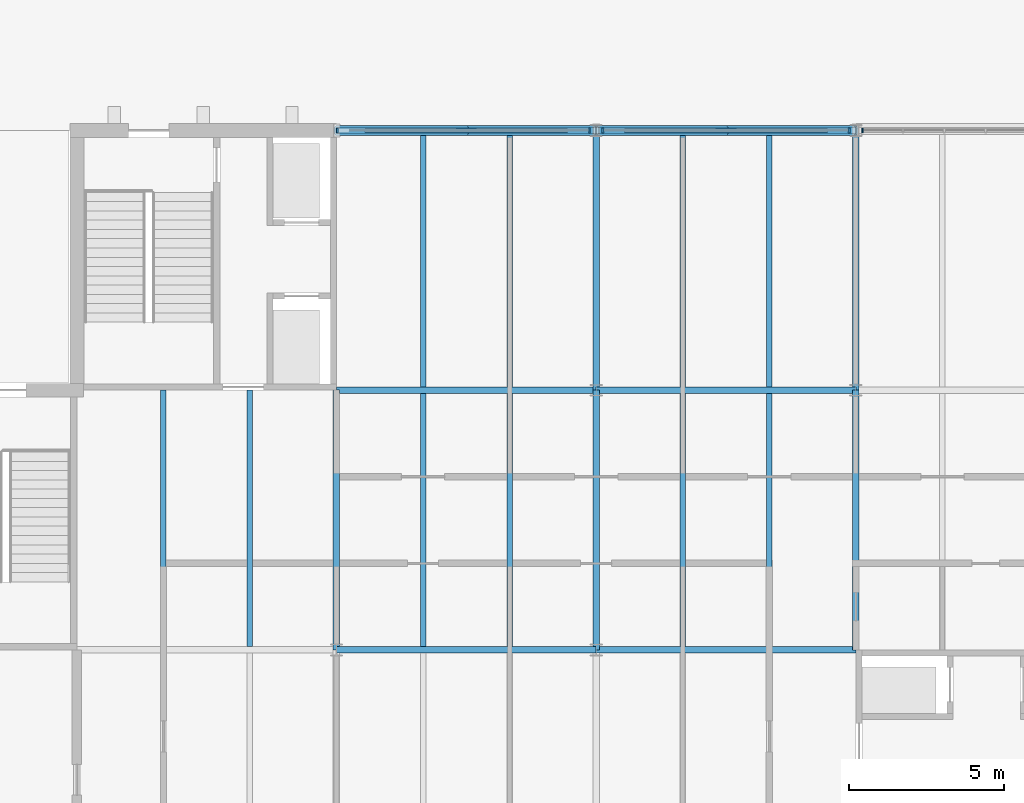
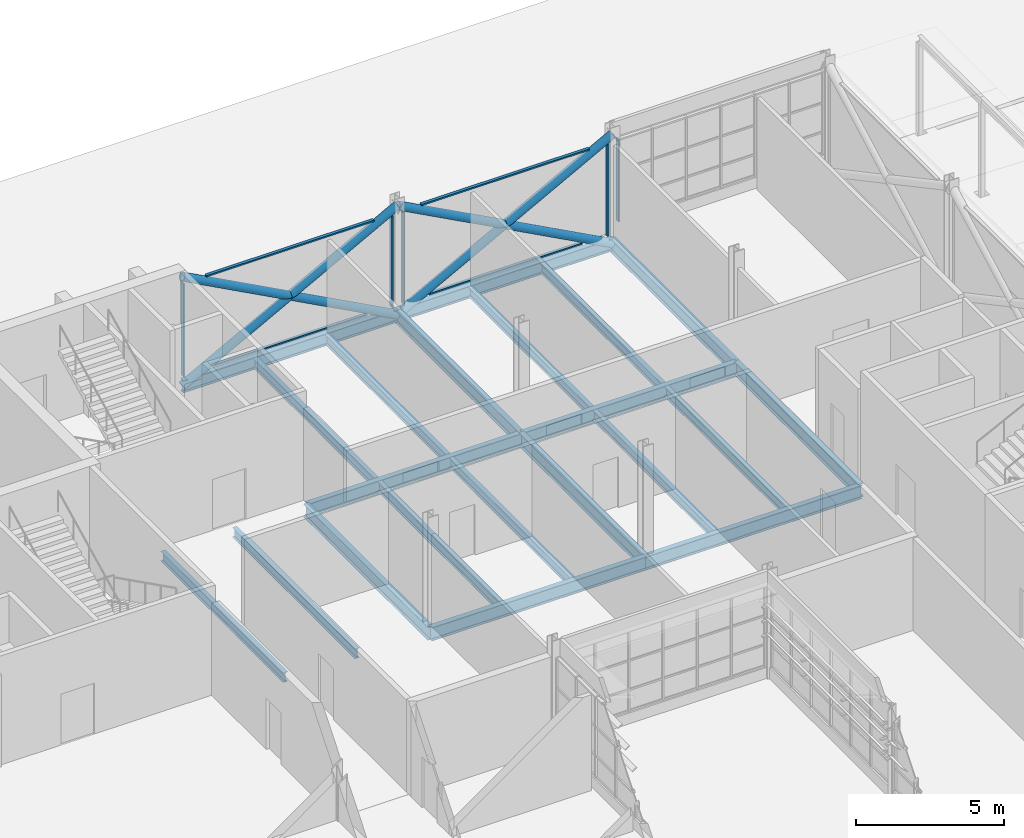
# One storey, part 62 of 116: 21 beams, 15 members, 3 elements without a shape of their own.
"""IFC4 building model written with IfcOpenShell, lengths in metres."""

from ifc_helpers import new_model, si_unit, direction, frame, origin, origin_2d, place, context, subcontext, project, spatial, rectangle, hollow_circle, i_section, extrude, material, layer, layer_set, material_profile, profile_set, type_object, element, aggregate, save


model = new_model("IFC4")

# Units and contexts
model_context = context("Model", 3, precision=1e-05, world=origin(), true_north=direction((0.0, 1.0)))
body_context = subcontext(model_context, "Body", "Model", "MODEL_VIEW")
ifc_project = project(units=[si_unit("LENGTHUNIT", "METRE"), si_unit("AREAUNIT", "SQUARE_METRE"), si_unit("VOLUMEUNIT", "CUBIC_METRE"), si_unit("PLANEANGLEUNIT", "RADIAN"), si_unit("MASSUNIT", "GRAM", prefix="KILO")], contexts=[model_context])

# Site, building, storey
site_placement = place(None, origin())
site = spatial("IfcSite", under=ifc_project, at=site_placement, CompositionType="ELEMENT")
building_placement = place(site_placement, origin())
building = spatial("IfcBuilding", under=site, at=building_placement, Name="Ardhachandra Cancer Care Centre", CompositionType="ELEMENT")
storey_placement = place(building_placement, origin())
storey = spatial("IfcBuildingStorey", under=building, at=storey_placement, Name="L00", CompositionType="ELEMENT", Elevation=0.0)

# Beams
ifc_material_1 = material(Name="Steel E350 (IS 2062)", Category="steel")
ifc_material_profile_1 = material_profile(ifc_material_1, i_section(OverallWidth=0.179931640625, OverallDepth=0.39990234375, WebThickness=0.008544921875, FlangeThickness=0.013427734375, FilletRadius=0.02099609375, at=origin_2d()), Name="NPB 400x180x66.30")
ifc_profile_set_1 = profile_set([ifc_material_profile_1], Name="Steel E350 (IS 2062)")
beam_type_1 = type_object("IfcBeamType", Name="Beam NPB 400x180x66.30", PredefinedType="BEAM", material=ifc_profile_set_1)
for number, where, z_axis, x_axis, name in (
    (1, (114.39990234375, 88.304931640625, -0.35009765625), (0.0, 1.0, 0.0), (-1.0, 0.0, 0.0), "Secondary K13-L13@2800"),
    (2, (117.199951171875, 88.304931640625, -0.35009765625), (0.0, 1.0, 0.0), (-1.0, 0.0, 0.0), "Secondary K13-L13@5600"),
):
    element("IfcBeam", number, at=place(storey_placement, frame(where, z_axis=z_axis, x_axis=x_axis)), inside=storey, type_object=beam_type_1, Name=name, PredefinedType="BEAM", context=body_context, shape_type="SweptSolid", body=[
        extrude(i_section(OverallWidth=0.179931640625, OverallDepth=0.39990234375, WebThickness=0.008544921875, FlangeThickness=0.013427734375, FilletRadius=0.02099609375, at=origin_2d()), origin(), (0.0, 0.0, 1.0), 8.295166015625),
    ])
beam_1_placement = place(storey_placement, frame((122.800048828125, 88.304931640625, -0.35009765625), z_axis=(0.0, 1.0, 0.0), x_axis=(-1.0, 0.0, 0.0)))
element("IfcBeam", 3, at=beam_1_placement, inside=storey, type_object=beam_type_1, Name="Secondary K14-L14@2800", PredefinedType="BEAM", context=body_context, shape_type="SweptSolid", body=[
    extrude(i_section(OverallWidth=0.179931640625, OverallDepth=0.39990234375, WebThickness=0.008544921875, FlangeThickness=0.013427734375, FilletRadius=0.02099609375, at=origin_2d()), origin(), (0.0, 0.0, 1.0), 8.190185546875),
])
beam_2_placement = place(storey_placement, frame((122.800048828125, 96.705078125, -0.35009765625), z_axis=(0.0, 1.0, 0.0), x_axis=(-1.0, 0.0, 0.0)))
element("IfcBeam", 4, at=beam_2_placement, inside=storey, type_object=beam_type_1, Name="Secondary L14-M14@2800", PredefinedType="BEAM", context=body_context, shape_type="SweptSolid", body=[
    extrude(i_section(OverallWidth=0.179931640625, OverallDepth=0.39990234375, WebThickness=0.008544921875, FlangeThickness=0.013427734375, FilletRadius=0.02099609375, at=origin_2d()), origin(), (0.0, 0.0, 1.0), 8.19482421875),
])
beam_3_placement = place(storey_placement, frame((125.60009765625, 88.304931640625, -0.35009765625), z_axis=(0.0, 1.0, 0.0), x_axis=(-1.0, 0.0, 0.0)))
element("IfcBeam", 5, at=beam_3_placement, inside=storey, type_object=beam_type_1, Name="Secondary K14-L14@5600", PredefinedType="BEAM", context=body_context, shape_type="SweptSolid", body=[
    extrude(i_section(OverallWidth=0.179931640625, OverallDepth=0.39990234375, WebThickness=0.008544921875, FlangeThickness=0.013427734375, FilletRadius=0.02099609375, at=origin_2d()), origin(), (0.0, 0.0, 1.0), 8.190185546875),
])
beam_4_placement = place(storey_placement, frame((125.60009765625, 96.705078125, -0.35009765625), z_axis=(0.0, 1.0, 0.0), x_axis=(-1.0, 0.0, 0.0)))
element("IfcBeam", 6, at=beam_4_placement, inside=storey, type_object=beam_type_1, Name="Secondary L14-M14@5600", PredefinedType="BEAM", context=body_context, shape_type="SweptSolid", body=[
    extrude(i_section(OverallWidth=0.179931640625, OverallDepth=0.39990234375, WebThickness=0.008544921875, FlangeThickness=0.013427734375, FilletRadius=0.02099609375, at=origin_2d()), origin(), (0.0, 0.0, 1.0), 8.19482421875),
])
beam_5_placement = place(storey_placement, frame((131.199951171875, 88.304931640625, -0.35009765625), z_axis=(0.0, 1.0, 0.0), x_axis=(-1.0, 0.0, 0.0)))
element("IfcBeam", 7, at=beam_5_placement, inside=storey, type_object=beam_type_1, Name="Secondary K15-L15@2800", PredefinedType="BEAM", context=body_context, shape_type="SweptSolid", body=[
    extrude(i_section(OverallWidth=0.179931640625, OverallDepth=0.39990234375, WebThickness=0.008544921875, FlangeThickness=0.013427734375, FilletRadius=0.02099609375, at=origin_2d()), origin(), (0.0, 0.0, 1.0), 8.190185546875),
])
beam_6_placement = place(storey_placement, frame((131.199951171875, 96.705078125, -0.35009765625), z_axis=(0.0, 1.0, 0.0), x_axis=(-1.0, 0.0, 0.0)))
element("IfcBeam", 8, at=beam_6_placement, inside=storey, type_object=beam_type_1, Name="Secondary L15-M15@2800", PredefinedType="BEAM", context=body_context, shape_type="SweptSolid", body=[
    extrude(i_section(OverallWidth=0.179931640625, OverallDepth=0.39990234375, WebThickness=0.008544921875, FlangeThickness=0.013427734375, FilletRadius=0.02099609375, at=origin_2d()), origin(), (0.0, 0.0, 1.0), 8.19482421875),
])
beam_7_placement = place(storey_placement, frame((134.0, 88.304931640625, -0.35009765625), z_axis=(0.0, 1.0, 0.0), x_axis=(-1.0, 0.0, 0.0)))
element("IfcBeam", 9, at=beam_7_placement, inside=storey, type_object=beam_type_1, Name="Secondary K15-L15@5600", PredefinedType="BEAM", context=body_context, shape_type="SweptSolid", body=[
    extrude(i_section(OverallWidth=0.179931640625, OverallDepth=0.39990234375, WebThickness=0.008544921875, FlangeThickness=0.013427734375, FilletRadius=0.02099609375, at=origin_2d()), origin(), (0.0, 0.0, 1.0), 8.190185546875),
])
beam_8_placement = place(storey_placement, frame((134.0, 96.705078125, -0.35009765625), z_axis=(0.0, 1.0, 0.0), x_axis=(-1.0, 0.0, 0.0)))
element("IfcBeam", 10, at=beam_8_placement, inside=storey, type_object=beam_type_1, Name="Secondary L15-M15@5600", PredefinedType="BEAM", context=body_context, shape_type="SweptSolid", body=[
    extrude(i_section(OverallWidth=0.179931640625, OverallDepth=0.39990234375, WebThickness=0.008544921875, FlangeThickness=0.013427734375, FilletRadius=0.02099609375, at=origin_2d()), origin(), (0.0, 0.0, 1.0), 8.19482421875),
])
ifc_material_2 = material(Name="Steel E350 (IS 2062)", Category="steel")
ifc_material_profile_2 = material_profile(ifc_material_2, i_section(OverallWidth=0.199951171875, OverallDepth=0.5, WebThickness=0.01025390625, FlangeThickness=0.01611328125, FilletRadius=0.02099609375, at=origin_2d()), Name="NPB 500x200x90.68")
ifc_profile_set_2 = profile_set([ifc_material_profile_2], Name="Steel E350 (IS 2062)")
beam_type_2 = type_object("IfcBeamType", Name="Beam NPB 500x200x90.68", PredefinedType="BEAM", material=ifc_profile_set_2)
beam_9_placement = place(storey_placement, frame((120.0, 105.0, -0.39990234375), z_axis=(1.0, 0.0, 0.0), x_axis=(0.0, 1.0, 0.0)))
element("IfcBeam", 11, at=beam_9_placement, inside=storey, type_object=beam_type_2, Name="Edge girder M14-M15", PredefinedType="BEAM", context=body_context, shape_type="SweptSolid", body=[
    extrude(i_section(OverallWidth=0.199951171875, OverallDepth=0.5, WebThickness=0.01025390625, FlangeThickness=0.01611328125, FilletRadius=0.02099609375, at=origin_2d()), origin(), (0.0, 0.0, 1.0), 8.39990234375),
])
beam_10_placement = place(storey_placement, frame((128.39990234375, 105.0, -0.39990234375), z_axis=(1.0, 0.0, 0.0), x_axis=(0.0, 1.0, 0.0)))
element("IfcBeam", 12, at=beam_10_placement, inside=storey, type_object=beam_type_2, Name="Edge girder M15-M16", PredefinedType="BEAM", context=body_context, shape_type="SweptSolid", body=[
    extrude(i_section(OverallWidth=0.199951171875, OverallDepth=0.5, WebThickness=0.01025390625, FlangeThickness=0.01611328125, FilletRadius=0.02099609375, at=origin_2d()), origin(), (0.0, 0.0, 1.0), 8.400146484375),
])
ifc_material_3 = material(Name="Steel E350 (IS 2062)", Category="steel")
ifc_material_profile_3 = material_profile(ifc_material_3, i_section(OverallWidth=0.2099609375, OverallDepth=0.550048828125, WebThickness=0.010986328125, FlangeThickness=0.01708984375, FilletRadius=0.02392578125, at=origin_2d()), Name="NPB 550x210x105.52")
ifc_profile_set_3 = profile_set([ifc_material_profile_3], Name="Steel E350 (IS 2062)")
beam_type_3 = type_object("IfcBeamType", Name="Beam NPB 550x210x105.52", PredefinedType="BEAM", material=ifc_profile_set_3)
beam_11_placement = place(storey_placement, frame((120.0, 88.199951171875, -0.425048828125), z_axis=(1.0, 0.0, 0.0), x_axis=(0.0, 1.0, 0.0)))
element("IfcBeam", 13, at=beam_11_placement, inside=storey, type_object=beam_type_3, Name="Girder K14-K15", PredefinedType="BEAM", context=body_context, shape_type="SweptSolid", body=[
    extrude(i_section(OverallWidth=0.2099609375, OverallDepth=0.550048828125, WebThickness=0.010986328125, FlangeThickness=0.01708984375, FilletRadius=0.02392578125, at=origin_2d()), origin(), (0.0, 0.0, 1.0), 8.39990234375),
])
beam_12_placement = place(storey_placement, frame((128.39990234375, 88.199951171875, -0.425048828125), z_axis=(1.0, 0.0, 0.0), x_axis=(0.0, 1.0, 0.0)))
element("IfcBeam", 14, at=beam_12_placement, inside=storey, type_object=beam_type_3, Name="Girder K15-K16", PredefinedType="BEAM", context=body_context, shape_type="SweptSolid", body=[
    extrude(i_section(OverallWidth=0.2099609375, OverallDepth=0.550048828125, WebThickness=0.010986328125, FlangeThickness=0.01708984375, FilletRadius=0.02392578125, at=origin_2d()), origin(), (0.0, 0.0, 1.0), 8.400146484375),
])
beam_13_placement = place(storey_placement, frame((120.0, 96.60009765625, -0.425048828125), z_axis=(1.0, 0.0, 0.0), x_axis=(0.0, 1.0, 0.0)))
element("IfcBeam", 15, at=beam_13_placement, inside=storey, type_object=beam_type_3, Name="Girder L14-L15", PredefinedType="BEAM", context=body_context, shape_type="SweptSolid", body=[
    extrude(i_section(OverallWidth=0.2099609375, OverallDepth=0.550048828125, WebThickness=0.010986328125, FlangeThickness=0.01708984375, FilletRadius=0.02392578125, at=origin_2d()), origin(), (0.0, 0.0, 1.0), 8.39990234375),
])
for number, where, z_axis, x_axis, name in (
    (16, (128.39990234375, 96.60009765625, -0.425048828125), (1.0, 0.0, 0.0), (0.0, 1.0, 0.0), "Girder L15-L16"),
    (17, (120.0, 88.199951171875, -0.425048828125), (0.0, 1.0, 0.0), (-1.0, 0.0, 0.0), "Girder K14-L14"),
    (18, (128.39990234375, 88.199951171875, -0.425048828125), (0.0, 1.0, 0.0), (-1.0, 0.0, 0.0), "Girder K15-L15"),
):
    element("IfcBeam", number, at=place(storey_placement, frame(where, z_axis=z_axis, x_axis=x_axis)), inside=storey, type_object=beam_type_3, Name=name, PredefinedType="BEAM", context=body_context, shape_type="SweptSolid", body=[
        extrude(i_section(OverallWidth=0.2099609375, OverallDepth=0.550048828125, WebThickness=0.010986328125, FlangeThickness=0.01708984375, FilletRadius=0.02392578125, at=origin_2d()), origin(), (0.0, 0.0, 1.0), 8.400146484375),
    ])
beam_14_placement = place(storey_placement, frame((128.39990234375, 96.60009765625, -0.425048828125), z_axis=(0.0, 1.0, 0.0), x_axis=(-1.0, 0.0, 0.0)))
element("IfcBeam", 19, at=beam_14_placement, inside=storey, type_object=beam_type_3, Name="Girder L15-M15", PredefinedType="BEAM", context=body_context, shape_type="SweptSolid", body=[
    extrude(i_section(OverallWidth=0.2099609375, OverallDepth=0.550048828125, WebThickness=0.010986328125, FlangeThickness=0.01708984375, FilletRadius=0.02392578125, at=origin_2d()), origin(), (0.0, 0.0, 1.0), 8.39990234375),
])
beam_15_placement = place(storey_placement, frame((136.800048828125, 88.199951171875, -0.425048828125), z_axis=(0.0, 1.0, 0.0), x_axis=(-1.0, 0.0, 0.0)))
element("IfcBeam", 20, at=beam_15_placement, inside=storey, type_object=beam_type_3, Name="Girder K16-L16", PredefinedType="BEAM", context=body_context, shape_type="SweptSolid", body=[
    extrude(i_section(OverallWidth=0.2099609375, OverallDepth=0.550048828125, WebThickness=0.010986328125, FlangeThickness=0.01708984375, FilletRadius=0.02392578125, at=origin_2d()), origin(), (0.0, 0.0, 1.0), 8.400146484375),
])
beam_16_placement = place(storey_placement, frame((136.800048828125, 96.60009765625, -0.425048828125), z_axis=(0.0, 1.0, 0.0), x_axis=(-1.0, 0.0, 0.0)))
element("IfcBeam", 21, at=beam_16_placement, inside=storey, type_object=beam_type_3, Name="Girder L16-M16", PredefinedType="BEAM", context=body_context, shape_type="SweptSolid", body=[
    extrude(i_section(OverallWidth=0.2099609375, OverallDepth=0.550048828125, WebThickness=0.010986328125, FlangeThickness=0.01708984375, FilletRadius=0.02392578125, at=origin_2d()), origin(), (0.0, 0.0, 1.0), 8.39990234375),
])

# Members
ifc_material_4 = material(Name="Steel E350 (IS 2062)", Category="steel")
ifc_material_profile_4 = material_profile(ifc_material_4, hollow_circle(Radius=0.161865234375, WallThickness=0.012451171875, at=origin_2d()), Name="CHS 323.9x12.5")
ifc_profile_set_4 = profile_set([ifc_material_profile_4], Name="Steel E350 (IS 2062)")
member_type_1 = type_object("IfcMemberType", Name="Brace CHS 323.9x12.5", PredefinedType="BRACE", material=ifc_profile_set_4)
member_1_placement = place(storey_placement, frame((120.0, 105.0, -0.39990234375), z_axis=(0.881477684796, 0.0, 0.472225678258), x_axis=(0.0, 1.0, 0.0)))
element("IfcMember", 22, at=member_1_placement, inside=storey, type_object=member_type_1, Name="Brace V5-X1050-1200 L00 A", PredefinedType="BRACE", context=body_context, shape_type="SweptSolid", body=[
    extrude(hollow_circle(Radius=0.161865234375, WallThickness=0.012451171875, at=origin_2d()), origin(), (0.0, 0.0, 1.0), 9.529296875),
])
for number, where, z_axis, x_axis, name in (
    (23, (128.39990234375, 105.0, -0.39990234375), (-0.881477684796, 0.0, 0.472225678258), (0.0, -1.0, 0.0), "Brace V5-X1050-1200 L00 B1"),
    (24, (124.199951171875, 105.0, 1.85009765625), (-0.881477684796, 0.0, 0.472225678258), (0.0, -1.0, 0.0), "Brace V5-X1050-1200 L00 B2"),
):
    element("IfcMember", number, at=place(storey_placement, frame(where, z_axis=z_axis, x_axis=x_axis)), inside=storey, type_object=member_type_1, Name=name, PredefinedType="BRACE", context=body_context, shape_type="SweptSolid", body=[
        extrude(hollow_circle(Radius=0.161865234375, WallThickness=0.012451171875, at=origin_2d()), origin(), (0.0, 0.0, 1.0), 4.7646484375),
    ])
member_2_placement = place(storey_placement, frame((128.39990234375, 105.0, -0.39990234375), z_axis=(0.881483397762, 0.0, 0.472215014025), x_axis=(0.0, 1.0, 0.0)))
element("IfcMember", 25, at=member_2_placement, inside=storey, type_object=member_type_1, Name="Brace V5-X1050-1284 L00 A", PredefinedType="BRACE", context=body_context, shape_type="SweptSolid", body=[
    extrude(hollow_circle(Radius=0.161865234375, WallThickness=0.012451171875, at=origin_2d()), origin(), (0.0, 0.0, 1.0), 9.529541015625),
])
member_3_placement = place(storey_placement, frame((136.800048828125, 105.0, -0.39990234375), z_axis=(-0.881477684796, 0.0, 0.472225678258), x_axis=(0.0, -1.0, 0.0)))
element("IfcMember", 26, at=member_3_placement, inside=storey, type_object=member_type_1, Name="Brace V5-X1050-1284 L00 B1", PredefinedType="BRACE", context=body_context, shape_type="SweptSolid", body=[
    extrude(hollow_circle(Radius=0.161865234375, WallThickness=0.012451171875, at=origin_2d()), origin(), (0.0, 0.0, 1.0), 4.7646484375),
])
member_4_placement = place(storey_placement, frame((132.60009765625, 105.0, 1.85009765625), z_axis=(-0.881489110341, 0.0, 0.472204350203), x_axis=(0.0, -1.0, 0.0)))
element("IfcMember", 27, at=member_4_placement, inside=storey, type_object=member_type_1, Name="Brace V5-X1050-1284 L00 B2", PredefinedType="BRACE", context=body_context, shape_type="SweptSolid", body=[
    extrude(hollow_circle(Radius=0.161865234375, WallThickness=0.012451171875, at=origin_2d()), origin(), (0.0, 0.0, 1.0), 4.764892578125),
])

# Curtain wall, members
ifc_material_5 = material(Name="Aluminium extrusion", Category="aluminium")
ifc_layer = layer(ifc_material_5, 0.14990234375)
ifc_layer_set = layer_set([ifc_layer], Name="Aluminium extrusion")
curtain_wall_type = type_object("IfcCurtainWallType", Name="Curtain wall run", PredefinedType="NOTDEFINED", material=ifc_layer_set)
curtain_wall_1_placement = place(storey_placement, origin())
curtain_wall_1 = element("IfcCurtainWall", 28, at=curtain_wall_1_placement, inside=storey, type_object=curtain_wall_type, Name="Curtain wall L00 n/0120000_0105000", PredefinedType="NOTDEFINED")
ifc_material_6 = material(Name="Aluminium extrusion", Category="aluminium")
ifc_material_profile_5 = material_profile(ifc_material_6, rectangle(XDim=0.159912109375, YDim=0.06005859375, at=origin_2d()), Name="Curtain wall mullion 60 x 160")
ifc_profile_set_5 = profile_set([ifc_material_profile_5], Name="Aluminium extrusion")
member_type_2 = type_object("IfcMemberType", Name="Curtain wall mullion 60 x 160", PredefinedType="MULLION", material=ifc_profile_set_5)
member_5_placement = place(storey_placement, frame((120.030029296875, 105.0, 0.0), z_axis=(0.0, 0.0, 1.0), x_axis=(0.0, 1.0, 0.0)))
member_5 = element("IfcMember", 29, at=member_5_placement, type_object=member_type_2, Name="CW mullion 1", PredefinedType="MULLION", context=body_context, shape_type="SweptSolid", body=[
    extrude(rectangle(XDim=0.159912109375, YDim=0.06005859375, at=origin_2d()), origin(), (0.0, 0.0, 1.0), 3.85009765625),
])
member_6_placement = place(storey_placement, frame((128.1845703125, 105.0, 0.0), z_axis=(0.0, 0.0, 1.0), x_axis=(0.0, 1.0, 0.0)))
member_6 = element("IfcMember", 30, at=member_6_placement, type_object=member_type_2, Name="CW mullion 2", PredefinedType="MULLION", context=body_context, shape_type="SweptSolid", body=[
    extrude(rectangle(XDim=0.159912109375, YDim=0.06005859375, at=origin_2d()), origin(), (0.0, 0.0, 1.0), 3.78271484375),
])

curtain_wall_2_placement = place(storey_placement, origin())
curtain_wall_2 = element("IfcCurtainWall", 31, at=curtain_wall_2_placement, inside=storey, type_object=curtain_wall_type, Name="Curtain wall L00 n/0128400_0105000", PredefinedType="NOTDEFINED")
member_7_placement = place(storey_placement, frame((128.615478515625, 105.0, 0.0), z_axis=(0.0, 0.0, 1.0), x_axis=(0.0, 1.0, 0.0)))
member_7 = element("IfcMember", 32, at=member_7_placement, type_object=member_type_2, Name="CW mullion 1", PredefinedType="MULLION", context=body_context, shape_type="SweptSolid", body=[
    extrude(rectangle(XDim=0.159912109375, YDim=0.06005859375, at=origin_2d()), origin(), (0.0, 0.0, 1.0), 3.78271484375),
])
member_8_placement = place(storey_placement, frame((136.58447265625, 105.0, 0.0), z_axis=(0.0, 0.0, 1.0), x_axis=(0.0, 1.0, 0.0)))
member_8 = element("IfcMember", 33, at=member_8_placement, type_object=member_type_2, Name="CW mullion 2", PredefinedType="MULLION", context=body_context, shape_type="SweptSolid", body=[
    extrude(rectangle(XDim=0.159912109375, YDim=0.06005859375, at=origin_2d()), origin(), (0.0, 0.0, 1.0), 3.78271484375),
])

# Curtain wall, member
curtain_wall_3_placement = place(storey_placement, origin())
curtain_wall_3 = element("IfcCurtainWall", 34, at=curtain_wall_3_placement, inside=storey, type_object=curtain_wall_type, Name="Curtain wall L00 n/0136800_0105000", PredefinedType="NOTDEFINED")
member_9_placement = place(storey_placement, frame((137.015380859375, 105.0, 0.449951171875), z_axis=(0.0, 0.0, 1.0), x_axis=(0.0, 1.0, 0.0)))
member_9 = element("IfcMember", 35, at=member_9_placement, type_object=member_type_2, Name="CW mullion 1", PredefinedType="MULLION", context=body_context, shape_type="SweptSolid", body=[
    extrude(rectangle(XDim=0.159912109375, YDim=0.06005859375, at=origin_2d()), origin(), (0.0, 0.0, 1.0), 3.400146484375),
])
aggregate(curtain_wall_3, [member_9])

# Member
ifc_material_7 = material(Name="Aluminium extrusion", Category="aluminium")
ifc_material_profile_6 = material_profile(ifc_material_7, rectangle(XDim=0.1201171875, YDim=0.06005859375, at=origin_2d()), Name="Curtain wall transom 60 x 120")
ifc_profile_set_6 = profile_set([ifc_material_profile_6], Name="Aluminium extrusion")
member_type_3 = type_object("IfcMemberType", Name="Curtain wall transom 60 x 120", PredefinedType="USERDEFINED", material=ifc_profile_set_6)
member_10_placement = place(storey_placement, frame((121.204833984375, 105.0, 0.030029296875), z_axis=(1.0, 0.0, 0.0), x_axis=(0.0, 1.0, 0.0)))
member_10 = element("IfcMember", 36, at=member_10_placement, type_object=member_type_3, Name="CW transom 1.1", ObjectType="TRANSOM", PredefinedType="USERDEFINED", context=body_context, shape_type="SweptSolid", body=[
    extrude(rectangle(XDim=0.1201171875, YDim=0.06005859375, at=origin_2d()), origin(), (0.0, 0.0, 1.0), 5.991455078125),
])

member_11_placement = place(storey_placement, frame((120.923828125, 105.0, 3.820068359375), z_axis=(1.0, 0.0, 0.0), x_axis=(0.0, 1.0, 0.0)))
member_11 = element("IfcMember", 37, at=member_11_placement, type_object=member_type_3, Name="CW transom 1.2", ObjectType="TRANSOM", PredefinedType="USERDEFINED", context=body_context, shape_type="SweptSolid", body=[
    extrude(rectangle(XDim=0.1201171875, YDim=0.06005859375, at=origin_2d()), origin(), (0.0, 0.0, 1.0), 6.552490234375),
])

aggregate(curtain_wall_1, [member_5, member_6, member_10, member_11])

member_12_placement = place(storey_placement, frame((129.604736328125, 105.0, 0.030029296875), z_axis=(1.0, 0.0, 0.0), x_axis=(0.0, 1.0, 0.0)))
member_12 = element("IfcMember", 38, at=member_12_placement, type_object=member_type_3, Name="CW transom 1.1", ObjectType="TRANSOM", PredefinedType="USERDEFINED", context=body_context, shape_type="SweptSolid", body=[
    extrude(rectangle(XDim=0.1201171875, YDim=0.06005859375, at=origin_2d()), origin(), (0.0, 0.0, 1.0), 5.991455078125),
])

member_13_placement = place(storey_placement, frame((129.32373046875, 105.0, 3.820068359375), z_axis=(1.0, 0.0, 0.0), x_axis=(0.0, 1.0, 0.0)))
member_13 = element("IfcMember", 39, at=member_13_placement, type_object=member_type_3, Name="CW transom 1.2", ObjectType="TRANSOM", PredefinedType="USERDEFINED", context=body_context, shape_type="SweptSolid", body=[
    extrude(rectangle(XDim=0.1201171875, YDim=0.06005859375, at=origin_2d()), origin(), (0.0, 0.0, 1.0), 6.552490234375),
])

aggregate(curtain_wall_2, [member_7, member_8, member_12, member_13])

save(model, "model.ifc")
